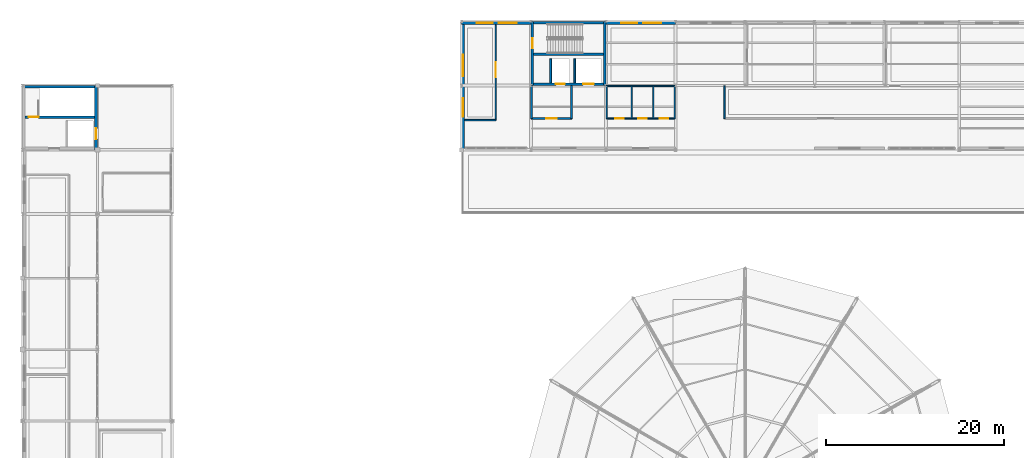
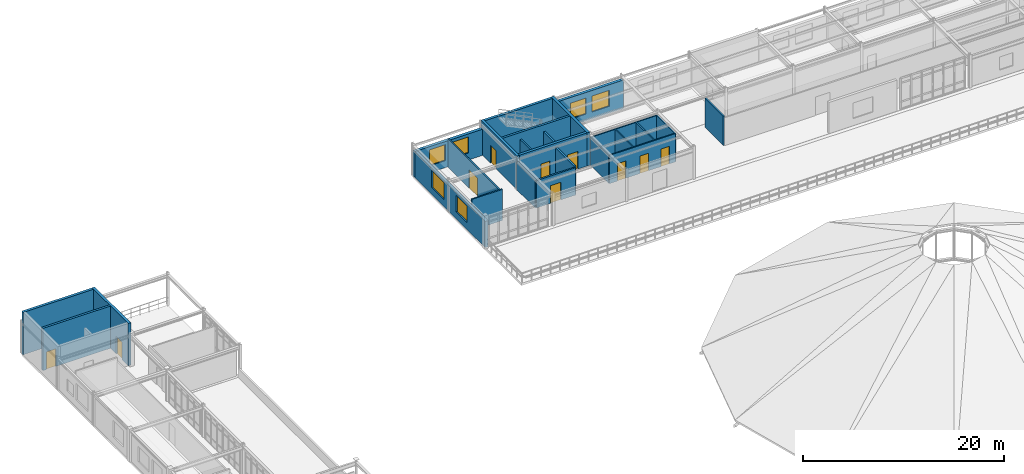
# One storey, part 52 of 58: 25 walls, 10 doors, 6 windows, 16 openings.
"""IFC4 building model written with IfcOpenShell, lengths in metres."""

from ifc_helpers import new_model, si_unit, derived_unit, direction, frame, frame_2d, origin, place, context, subcontext, project, spatial, rectangle, extrude, material, layer, layer_set, type_object, element, fill, save


model = new_model("IFC4")

# Units and contexts
model_context = context("Model", 3, precision=1e-05, world=origin(), true_north=direction((0.0, 1.0)))
body_context = subcontext(model_context, "Body", "Model", "MODEL_VIEW")
ifc_project = project(units=[si_unit("LENGTHUNIT", "METRE"), si_unit("AREAUNIT", "SQUARE_METRE"), si_unit("VOLUMEUNIT", "CUBIC_METRE"), si_unit("PLANEANGLEUNIT", "RADIAN"), si_unit("MASSUNIT", "GRAM", prefix="KILO"), derived_unit("THERMALTRANSMITTANCEUNIT", [(si_unit("POWERUNIT", "WATT"), 1), (si_unit("AREAUNIT", "SQUARE_METRE"), -1), (si_unit("THERMODYNAMICTEMPERATUREUNIT", "KELVIN"), -1)])], contexts=[model_context])

# Site, building, storey
site_placement = place(None, origin())
site = spatial("IfcSite", under=ifc_project, at=site_placement, CompositionType="ELEMENT")
building_placement = place(site_placement, origin())
building = spatial("IfcBuilding", under=site, at=building_placement, Name="Yasenodar Specialist Clinic", CompositionType="ELEMENT")
storey_placement = place(building_placement, frame((0.0, 0.0, 21.300048828125)))
storey = spatial("IfcBuildingStorey", under=building, at=storey_placement, Name="L05", CompositionType="ELEMENT", Elevation=21.300048828125)

# Wall, openings, windows
ifc_material_1 = material(Name="Buff Architectural Terracotta Rainscreen", Category="masonry")
ifc_layer_1 = layer(ifc_material_1, 0.340087890625)
ifc_layer_set_1 = layer_set([ifc_layer_1], Name="Buff Architectural Terracotta Rainscreen")
wall_type_1 = type_object("IfcWallType", Name="EW-TERR-340", PredefinedType="SOLIDWALL", material=ifc_layer_set_1)
wall_1_placement = place(storey_placement, frame((49.3701171875, 97.199951171875, 0.0), z_axis=(0.0, 0.0, 1.0), x_axis=(0.0, 1.0, 0.0)))
wall_1 = element("IfcWall", 1, at=wall_1_placement, inside=storey, type_object=wall_type_1, Name="L05 Exterior Facade Wall 0162", PredefinedType="SOLIDWALL", context=body_context, shape_type="SweptSolid", body=[
    extrude(rectangle(XDim=14.199951171875, YDim=0.340087890625, at=frame_2d((7.10009765625, 0.0))), origin(), (0.0, 0.0, 1.0), 3.177978515625),
])
opening_1_placement = place(wall_1_placement, frame((3.683349609375, 0.0, 0.85009765625)))
opening_1 = element("IfcOpeningElement", 2, at=opening_1_placement, cuts=wall_1, Name="Opening W-07", PredefinedType="OPENING", context=body_context, shape_type="SweptSolid", body=[
    extrude(rectangle(XDim=2.10009765625, YDim=2.0, at=frame_2d((1.050048828125, 1.0))), frame((0.0, 0.18017578125, 0.0), z_axis=(0.0, -1.0, 0.0), x_axis=(1.0, 0.0, 0.0)), (0.0, 0.0, 1.0), 0.360107421875),
])
opening_2_placement = place(wall_1_placement, frame((8.2666015625, 0.0, 0.85009765625)))
opening_2 = element("IfcOpeningElement", 3, at=opening_2_placement, cuts=wall_1, Name="Opening W-08", PredefinedType="OPENING", context=body_context, shape_type="SweptSolid", body=[
    extrude(rectangle(XDim=2.39990234375, YDim=2.050048828125, at=frame_2d((1.199951171875, 1.02490234375))), frame((0.0, 0.18017578125, 0.0), z_axis=(0.0, -1.0, 0.0), x_axis=(1.0, 0.0, 0.0)), (0.0, 0.0, 1.0), 0.360107421875),
])
ifc_material_2 = material(Name="Triple Low-E Argon Glazing in Bronze Aluminium Frame", Category="aluminium")
window_type_1 = type_object("IfcWindowType", Name="WIN-EXT-07", PartitioningType="SINGLE_PANEL", PredefinedType="WINDOW", material=ifc_material_2)
window_1_placement = place(opening_1_placement, origin())
window_1 = element("IfcWindow", 4, at=window_1_placement, inside=storey, type_object=window_type_1, Name="L05 Triple-Glazed Reveal Window 0178", OverallHeight=2.0, OverallWidth=2.10009765625, PartitioningType="SINGLE_PANEL", PredefinedType="WINDOW", context=body_context, shape_type="SweptSolid", body=[
    extrude(rectangle(XDim=2.10009765625, YDim=2.0, at=frame_2d((1.050048828125, 1.0))), frame((0.0, 0.030029296875, 0.0), z_axis=(0.0, -1.0, 0.0), x_axis=(1.0, 0.0, 0.0)), (0.0, 0.0, 1.0), 0.06005859375),
])
fill(opening_1, window_1)
window_type_2 = type_object("IfcWindowType", Name="WIN-EXT-08", PartitioningType="SINGLE_PANEL", PredefinedType="WINDOW", material=ifc_material_2)
window_2_placement = place(opening_2_placement, origin())
window_2 = element("IfcWindow", 5, at=window_2_placement, inside=storey, type_object=window_type_2, Name="L05 Triple-Glazed Reveal Window 0179", OverallHeight=2.050048828125, OverallWidth=2.39990234375, PartitioningType="SINGLE_PANEL", PredefinedType="WINDOW", context=body_context, shape_type="SweptSolid", body=[
    extrude(rectangle(XDim=2.39990234375, YDim=2.050048828125, at=frame_2d((1.199951171875, 1.02490234375))), frame((0.0, 0.030029296875, 0.0), z_axis=(0.0, -1.0, 0.0), x_axis=(1.0, 0.0, 0.0)), (0.0, 0.0, 1.0), 0.06005859375),
])
fill(opening_2, window_2)

wall_2_placement = place(storey_placement, frame((65.39990234375, 111.39990234375, 0.0), z_axis=(0.0, 0.0, 1.0), x_axis=(1.0, 0.0, 0.0)))
wall_2 = element("IfcWall", 6, at=wall_2_placement, inside=storey, type_object=wall_type_1, Name="L05 Exterior Facade Wall 0183", PredefinedType="SOLIDWALL", context=body_context, shape_type="SweptSolid", body=[
    extrude(rectangle(XDim=7.800048828125, YDim=0.340087890625, at=frame_2d((3.89990234375, 0.0))), origin(), (0.0, 0.0, 1.0), 3.47802734375),
])
opening_3_placement = place(wall_2_placement, frame((1.699951171875, 0.0, 0.85009765625)))
opening_3 = element("IfcOpeningElement", 7, at=opening_3_placement, cuts=wall_2, Name="Opening W-05", PredefinedType="OPENING", context=body_context, shape_type="SweptSolid", body=[
    extrude(rectangle(XDim=1.800048828125, YDim=1.949951171875, at=frame_2d((0.89990234375, 0.97509765625))), frame((0.0, 0.18017578125, 0.0), z_axis=(0.0, -1.0, 0.0), x_axis=(1.0, 0.0, 0.0)), (0.0, 0.0, 1.0), 0.360107421875),
])
opening_4_placement = place(wall_2_placement, frame((4.199951171875, 0.0, 0.85009765625)))
opening_4 = element("IfcOpeningElement", 8, at=opening_4_placement, cuts=wall_2, Name="Opening W-06", PredefinedType="OPENING", context=body_context, shape_type="SweptSolid", body=[
    extrude(rectangle(XDim=2.0, YDim=1.949951171875, at=frame_2d((1.0, 0.97509765625))), frame((0.0, 0.18017578125, 0.0), z_axis=(0.0, -1.0, 0.0), x_axis=(1.0, 0.0, 0.0)), (0.0, 0.0, 1.0), 0.360107421875),
])
window_type_3 = type_object("IfcWindowType", Name="WIN-EXT-05", PartitioningType="SINGLE_PANEL", PredefinedType="WINDOW", material=ifc_material_2)
window_3_placement = place(opening_3_placement, origin())
window_3 = element("IfcWindow", 9, at=window_3_placement, inside=storey, type_object=window_type_3, Name="L05 Triple-Glazed Reveal Window 0212", OverallHeight=1.949951171875, OverallWidth=1.800048828125, PartitioningType="SINGLE_PANEL", PredefinedType="WINDOW", context=body_context, shape_type="SweptSolid", body=[
    extrude(rectangle(XDim=1.800048828125, YDim=1.949951171875, at=frame_2d((0.89990234375, 0.97509765625))), frame((0.0, 0.030029296875, 0.0), z_axis=(0.0, -1.0, 0.0), x_axis=(1.0, 0.0, 0.0)), (0.0, 0.0, 1.0), 0.06005859375),
])
fill(opening_3, window_3)
window_type_4 = type_object("IfcWindowType", Name="WIN-EXT-06", PartitioningType="SINGLE_PANEL", PredefinedType="WINDOW", material=ifc_material_2)
window_4_placement = place(opening_4_placement, origin())
window_4 = element("IfcWindow", 10, at=window_4_placement, inside=storey, type_object=window_type_4, Name="L05 Triple-Glazed Reveal Window 0213", OverallHeight=1.949951171875, OverallWidth=2.0, PartitioningType="SINGLE_PANEL", PredefinedType="WINDOW", context=body_context, shape_type="SweptSolid", body=[
    extrude(rectangle(XDim=2.0, YDim=1.949951171875, at=frame_2d((1.0, 0.97509765625))), frame((0.0, 0.030029296875, 0.0), z_axis=(0.0, -1.0, 0.0), x_axis=(1.0, 0.0, 0.0)), (0.0, 0.0, 1.0), 0.06005859375),
])
fill(opening_4, window_4)

wall_3_placement = place(storey_placement, frame((49.199951171875, 111.39990234375, 0.0), z_axis=(0.0, 0.0, 1.0), x_axis=(1.0, 0.0, 0.0)))
wall_3 = element("IfcWall", 11, at=wall_3_placement, inside=storey, type_object=wall_type_1, Name="L05 Exterior Facade Wall 0188", PredefinedType="SOLIDWALL", context=body_context, shape_type="SweptSolid", body=[
    extrude(rectangle(XDim=7.800048828125, YDim=0.340087890625, at=frame_2d((3.89990234375, 0.0))), origin(), (0.0, 0.0, 1.0), 3.177978515625),
])
opening_5_placement = place(wall_3_placement, frame((1.699951171875, 0.0, 0.85009765625)))
opening_5 = element("IfcOpeningElement", 12, at=opening_5_placement, cuts=wall_3, Name="Opening W-05", PredefinedType="OPENING", context=body_context, shape_type="SweptSolid", body=[
    extrude(rectangle(XDim=1.800048828125, YDim=1.949951171875, at=frame_2d((0.89990234375, 0.97509765625))), frame((0.0, 0.18017578125, 0.0), z_axis=(0.0, -1.0, 0.0), x_axis=(1.0, 0.0, 0.0)), (0.0, 0.0, 1.0), 0.360107421875),
])
opening_6_placement = place(wall_3_placement, frame((4.199951171875, 0.0, 0.85009765625)))
opening_6 = element("IfcOpeningElement", 13, at=opening_6_placement, cuts=wall_3, Name="Opening W-06", PredefinedType="OPENING", context=body_context, shape_type="SweptSolid", body=[
    extrude(rectangle(XDim=2.0, YDim=1.949951171875, at=frame_2d((1.0, 0.97509765625))), frame((0.0, 0.18017578125, 0.0), z_axis=(0.0, -1.0, 0.0), x_axis=(1.0, 0.0, 0.0)), (0.0, 0.0, 1.0), 0.360107421875),
])
window_5_placement = place(opening_5_placement, origin())
window_5 = element("IfcWindow", 14, at=window_5_placement, inside=storey, type_object=window_type_3, Name="L05 Triple-Glazed Reveal Window 0222", OverallHeight=1.949951171875, OverallWidth=1.800048828125, PartitioningType="SINGLE_PANEL", PredefinedType="WINDOW", context=body_context, shape_type="SweptSolid", body=[
    extrude(rectangle(XDim=1.800048828125, YDim=1.949951171875, at=frame_2d((0.89990234375, 0.97509765625))), frame((0.0, 0.030029296875, 0.0), z_axis=(0.0, -1.0, 0.0), x_axis=(1.0, 0.0, 0.0)), (0.0, 0.0, 1.0), 0.06005859375),
])
fill(opening_5, window_5)
window_6_placement = place(opening_6_placement, origin())
window_6 = element("IfcWindow", 15, at=window_6_placement, inside=storey, type_object=window_type_4, Name="L05 Triple-Glazed Reveal Window 0223", OverallHeight=1.949951171875, OverallWidth=2.0, PartitioningType="SINGLE_PANEL", PredefinedType="WINDOW", context=body_context, shape_type="SweptSolid", body=[
    extrude(rectangle(XDim=2.0, YDim=1.949951171875, at=frame_2d((1.0, 0.97509765625))), frame((0.0, 0.030029296875, 0.0), z_axis=(0.0, -1.0, 0.0), x_axis=(1.0, 0.0, 0.0)), (0.0, 0.0, 1.0), 0.06005859375),
])
fill(opening_6, window_6)

# Wall
ifc_material_3 = material(Name="Acoustic Double-Gypsum Consulting Partition")
ifc_layer_2 = layer(ifc_material_3, 0.159912109375)
ifc_layer_set_2 = layer_set([ifc_layer_2], Name="Acoustic Double-Gypsum Consulting Partition")
wall_type_2 = type_object("IfcWallType", Name="IW-CONS-160", PredefinedType="PARTITIONING", material=ifc_layer_set_2)
wall_4_placement = place(storey_placement, frame((78.699951171875, 100.699951171875, 0.0), z_axis=(0.0, 0.0, 1.0), x_axis=(0.0, 1.0, 0.0)))
element("IfcWall", 16, at=wall_4_placement, inside=storey, type_object=wall_type_2, Name="L05 Wing V5 L05 Cross-Lobby East Partition", PredefinedType="PARTITIONING", context=body_context, shape_type="SweptSolid", body=[
    extrude(rectangle(XDim=3.650146484375, YDim=0.159912109375, at=frame_2d((1.8251953125, 0.0))), origin(), (0.0, 0.0, 1.0), 3.56787109375),
])

# Wall, opening, door
wall_5_placement = place(storey_placement, frame((53.050048828125, 100.52001953125, 0.0), z_axis=(0.0, 0.0, 1.0), x_axis=(0.0, 1.0, 0.0)))
wall_5 = element("IfcWall", 17, at=wall_5_placement, inside=storey, type_object=wall_type_2, Name="L05 Clinical Teaching Lecture Room Partition", PredefinedType="PARTITIONING", context=body_context, shape_type="SweptSolid", body=[
    extrude(rectangle(XDim=10.679931640625, YDim=0.159912109375, at=frame_2d((5.33984375, 0.0))), origin(), (0.0, 0.0, 1.0), 3.447998046875),
])
opening_7_placement = place(wall_5_placement, frame((4.7900390625, 0.0, 0.0)))
opening_7 = element("IfcOpeningElement", 18, at=opening_7_placement, cuts=wall_5, Name="Opening D-10", PredefinedType="OPENING", context=body_context, shape_type="SweptSolid", body=[
    extrude(rectangle(XDim=1.679931640625, YDim=2.260009765625, at=frame_2d((0.83984375, 1.1298828125))), frame((0.0, 0.08984375, 0.0), z_axis=(0.0, -1.0, 0.0), x_axis=(1.0, 0.0, 0.0)), (0.0, 0.0, 1.0), 0.179931640625),
])
ifc_material_4 = material(Name="Powder-Coated Steel and Acoustic Laminate Leaf", Category="steel")
door_type_1 = type_object("IfcDoorType", Name="DR-BED-168", OperationType="DOUBLE_DOOR_SINGLE_SWING", PredefinedType="DOOR", material=ifc_material_4)
door_1_placement = place(opening_7_placement, origin())
door_1 = element("IfcDoor", 19, at=door_1_placement, inside=storey, type_object=door_type_1, Name="L05 Clinical Teaching Lecture Room Door", OperationType="DOUBLE_DOOR_SINGLE_SWING", OverallHeight=2.260009765625, OverallWidth=1.679931640625, PredefinedType="DOOR", context=body_context, shape_type="SweptSolid", body=[
    extrude(rectangle(XDim=1.679931640625, YDim=2.260009765625, at=frame_2d((0.83984375, 1.1298828125))), frame((0.0, 0.02490234375, 0.0), z_axis=(0.0, -1.0, 0.0), x_axis=(1.0, 0.0, 0.0)), (0.0, 0.0, 1.0), 0.050048828125),
])
fill(opening_7, door_1)

# Wall
wall_6_placement = place(storey_placement, frame((49.550048828125, 100.52001953125, 0.0), z_axis=(0.0, 0.0, 1.0), x_axis=(1.0, 0.0, 0.0)))
element("IfcWall", 20, at=wall_6_placement, inside=storey, type_object=wall_type_2, Name="L05 Clinical Teaching Lecture Room Partition", PredefinedType="PARTITIONING", context=body_context, shape_type="SweptSolid", body=[
    extrude(rectangle(XDim=3.5, YDim=0.159912109375, at=frame_2d((1.75, 0.0))), origin(), (0.0, 0.0, 1.0), 3.780029296875),
])

# Wall, opening, door
ifc_material_5 = material(Name="Fire-Rated Gypsum and Mineral-Wool Wall")
ifc_layer_3 = layer(ifc_material_5, 0.195068359375)
ifc_layer_set_3 = layer_set([ifc_layer_3], Name="Fire-Rated Gypsum and Mineral-Wool Wall")
wall_type_3 = type_object("IfcWallType", Name="IW-LOBBY-195", PredefinedType="PARTITIONING", material=ifc_layer_set_3)
wall_7_placement = place(storey_placement, frame((57.050048828125, 100.699951171875, 0.0), z_axis=(0.0, 0.0, 1.0), x_axis=(1.0, 0.0, 0.0)))
wall_7 = element("IfcWall", 21, at=wall_7_placement, inside=storey, type_object=wall_type_3, Name="L05 C4 Firefighting Lobby South Wall", PredefinedType="PARTITIONING", context=body_context, shape_type="SweptSolid", body=[
    extrude(rectangle(XDim=4.5, YDim=0.195068359375, at=frame_2d((2.25, 0.0))), origin(), (0.0, 0.0, 1.0), 3.327880859375),
])
opening_8_placement = place(wall_7_placement, frame((1.64990234375, 0.0, 0.0)))
opening_8 = element("IfcOpeningElement", 22, at=opening_8_placement, cuts=wall_7, Name="Opening FD-02", PredefinedType="OPENING", context=body_context, shape_type="SweptSolid", body=[
    extrude(rectangle(XDim=1.199951171875, YDim=2.14990234375, at=frame_2d((0.60009765625, 1.074951171875))), frame((0.0, 0.107421875, 0.0), z_axis=(0.0, -1.0, 0.0), x_axis=(1.0, 0.0, 0.0)), (0.0, 0.0, 1.0), 0.215087890625),
])
ifc_material_6 = material(Name="Fire-Rated Insulated Steel Door", Category="steel")
door_type_2 = type_object("IfcDoorType", Name="DR-FD-120", OperationType="NOTDEFINED", PredefinedType="DOOR", material=ifc_material_6)
door_2_placement = place(opening_8_placement, origin())
door_2 = element("IfcDoor", 23, at=door_2_placement, inside=storey, type_object=door_type_2, Name="L05 C4 Firefighting Lobby Door", OperationType="SINGLE_SWING_RIGHT", OverallHeight=2.14990234375, OverallWidth=1.199951171875, PredefinedType="DOOR", context=body_context, shape_type="SweptSolid", body=[
    extrude(rectangle(XDim=1.199951171875, YDim=2.14990234375, at=frame_2d((0.60009765625, 1.074951171875))), frame((0.0, 0.02490234375, 0.0), z_axis=(0.0, -1.0, 0.0), x_axis=(1.0, 0.0, 0.0)), (0.0, 0.0, 1.0), 0.050048828125),
])
fill(opening_8, door_2)

# Walls
wall_8_placement = place(storey_placement, frame((61.550048828125, 100.699951171875, 0.0), z_axis=(0.0, 0.0, 1.0), x_axis=(0.0, 1.0, 0.0)))
element("IfcWall", 24, at=wall_8_placement, inside=storey, type_object=wall_type_3, Name="L05 C4 Firefighting Lobby East Wall", PredefinedType="PARTITIONING", context=body_context, shape_type="SweptSolid", body=[
    extrude(rectangle(XDim=3.699951171875, YDim=0.195068359375, at=frame_2d((1.85009765625, 0.0))), origin(), (0.0, 0.0, 1.0), 3.508056640625),
])
wall_9_placement = place(storey_placement, frame((57.050048828125, 100.699951171875, 0.0), z_axis=(0.0, 0.0, 1.0), x_axis=(0.0, 1.0, 0.0)))
element("IfcWall", 25, at=wall_9_placement, inside=storey, type_object=wall_type_3, Name="L05 C4 Firefighting Lobby West Wall", PredefinedType="PARTITIONING", context=body_context, shape_type="SweptSolid", body=[
    extrude(rectangle(XDim=3.699951171875, YDim=0.195068359375, at=frame_2d((1.85009765625, 0.0))), origin(), (0.0, 0.0, 1.0), 3.327880859375),
])
ifc_material_7 = material(Name="Aerated Concrete Blockwork Fire Shaft Wall", Category="masonry")
ifc_layer_4 = layer(ifc_material_7, 0.205078125)
ifc_layer_set_4 = layer_set([ifc_layer_4], Name="Aerated Concrete Blockwork Fire Shaft Wall")
wall_type_4 = type_object("IfcWallType", Name="IW-SHAFT-205", PredefinedType="PARTITIONING", material=ifc_layer_set_4)
for number, where, z_axis, x_axis, name in (
    (26, (59.199951171875, 104.699951171875, 0.0), (0.0, 0.0, 1.0), (0.0, 1.0, 0.0), "L05 LF-02 Lift Shaft Side Wall"),
    (27, (61.89990234375, 104.699951171875, 0.0), (0.0, 0.0, 1.0), (0.0, 1.0, 0.0), "L05 LF-04 Lift Shaft Side Wall"),
):
    element("IfcWall", number, at=place(storey_placement, frame(where, z_axis=z_axis, x_axis=x_axis)), inside=storey, type_object=wall_type_4, Name=name, PredefinedType="PARTITIONING", context=body_context, shape_type="SweptSolid", body=[
        extrude(rectangle(XDim=2.699951171875, YDim=0.205078125, at=frame_2d((1.35009765625, 0.0))), origin(), (0.0, 0.0, 1.0), 3.508056640625),
    ])
ifc_material_8 = material(Name="Moisture-Resistant Sanitary Partition")
ifc_layer_5 = layer(ifc_material_8, 0.139892578125)
ifc_layer_set_5 = layer_set([ifc_layer_5], Name="Moisture-Resistant Sanitary Partition")
wall_type_5 = type_object("IfcWallType", Name="IW-WET-140", PredefinedType="PARTITIONING", material=ifc_layer_set_5)
wall_10_placement = place(storey_placement, frame((65.5, 100.699951171875, 0.0), z_axis=(0.0, 0.0, 1.0), x_axis=(0.0, 1.0, 0.0)))
element("IfcWall", 28, at=wall_10_placement, inside=storey, type_object=wall_type_5, Name="L05 North Sanitary Block West Wall", PredefinedType="PARTITIONING", context=body_context, shape_type="SweptSolid", body=[
    extrude(rectangle(XDim=3.679931640625, YDim=0.139892578125, at=frame_2d((1.83984375, 0.0))), origin(), (0.0, 0.0, 1.0), 3.43798828125),
])
wall_11_placement = place(storey_placement, frame((65.39990234375, 104.35009765625, 0.0), z_axis=(0.0, 0.0, 1.0), x_axis=(1.0, 0.0, 0.0)))
element("IfcWall", 29, at=wall_11_placement, inside=storey, type_object=wall_type_5, Name="L05 North Sanitary Block North Wall", PredefinedType="PARTITIONING", context=body_context, shape_type="SweptSolid", body=[
    extrude(rectangle(XDim=7.7001953125, YDim=0.139892578125, at=frame_2d((3.85009765625, 0.0))), origin(), (0.0, 0.0, 1.0), 3.43798828125),
])
for number, where, z_axis, x_axis, name in (
    (30, (73.10009765625, 100.699951171875, 0.0), (0.0, 0.0, 1.0), (0.0, 1.0, 0.0), "L05 North Sanitary Block East Wall"),
    (31, (68.300048828125, 100.699951171875, 0.0), (0.0, 0.0, 1.0), (0.0, 1.0, 0.0), "L05 North Accessible WC Divider Wall"),
    (32, (70.699951171875, 100.699951171875, 0.0), (0.0, 0.0, 1.0), (0.0, 1.0, 0.0), "L05 North Patient and Staff WC Divider Wall"),
):
    element("IfcWall", number, at=place(storey_placement, frame(where, z_axis=z_axis, x_axis=x_axis)), inside=storey, type_object=wall_type_5, Name=name, PredefinedType="PARTITIONING", context=body_context, shape_type="SweptSolid", body=[
        extrude(rectangle(XDim=3.650146484375, YDim=0.139892578125, at=frame_2d((1.8251953125, 0.0))), origin(), (0.0, 0.0, 1.0), 3.447998046875),
    ])

# Wall, openings, doors
wall_12_placement = place(storey_placement, frame((65.5, 100.699951171875, 0.0), z_axis=(0.0, 0.0, 1.0), x_axis=(1.0, 0.0, 0.0)))
wall_12 = element("IfcWall", 33, at=wall_12_placement, inside=storey, type_object=wall_type_5, Name="L05 North Sanitary Block Corridor Wall", PredefinedType="PARTITIONING", context=body_context, shape_type="SweptSolid", body=[
    extrude(rectangle(XDim=7.60009765625, YDim=0.139892578125, at=frame_2d((3.800048828125, 0.0))), origin(), (0.0, 0.0, 1.0), 3.43798828125),
])
opening_9_placement = place(wall_12_placement, frame((0.919921875, 0.0, 0.0)))
opening_9 = element("IfcOpeningElement", 34, at=opening_9_placement, cuts=wall_12, Name="Opening D-01", PredefinedType="OPENING", context=body_context, shape_type="SweptSolid", body=[
    extrude(rectangle(XDim=0.949951171875, YDim=2.1201171875, at=frame_2d((0.47509765625, 1.06005859375))), frame((0.0, 0.080078125, 0.0), z_axis=(0.0, -1.0, 0.0), x_axis=(1.0, 0.0, 0.0)), (0.0, 0.0, 1.0), 0.159912109375),
])
opening_10_placement = place(wall_12_placement, frame((3.510009765625, 0.0, 0.0)))
opening_10 = element("IfcOpeningElement", 35, at=opening_10_placement, cuts=wall_12, Name="Opening D-02", PredefinedType="OPENING", context=body_context, shape_type="SweptSolid", body=[
    extrude(rectangle(XDim=0.97998046875, YDim=2.139892578125, at=frame_2d((0.489990234375, 1.06982421875))), frame((0.0, 0.080078125, 0.0), z_axis=(0.0, -1.0, 0.0), x_axis=(1.0, 0.0, 0.0)), (0.0, 0.0, 1.0), 0.159912109375),
])
opening_11_placement = place(wall_12_placement, frame((5.909912109375, 0.0, 0.0)))
opening_11 = element("IfcOpeningElement", 36, at=opening_11_placement, cuts=wall_12, Name="Opening D-02", PredefinedType="OPENING", context=body_context, shape_type="SweptSolid", body=[
    extrude(rectangle(XDim=0.97998046875, YDim=2.139892578125, at=frame_2d((0.489990234375, 1.06982421875))), frame((0.0, 0.080078125, 0.0), z_axis=(0.0, -1.0, 0.0), x_axis=(1.0, 0.0, 0.0)), (0.0, 0.0, 1.0), 0.159912109375),
])
door_type_3 = type_object("IfcDoorType", Name="DR-CLN-095", OperationType="NOTDEFINED", PredefinedType="DOOR", material=ifc_material_4)
door_3_placement = place(opening_9_placement, origin())
door_3 = element("IfcDoor", 37, at=door_3_placement, inside=storey, type_object=door_type_3, Name="L05 North Accessible WC Door", OperationType="SINGLE_SWING_LEFT", OverallHeight=2.1201171875, OverallWidth=0.949951171875, PredefinedType="DOOR", context=body_context, shape_type="SweptSolid", body=[
    extrude(rectangle(XDim=0.949951171875, YDim=2.1201171875, at=frame_2d((0.47509765625, 1.06005859375))), frame((0.0, 0.02490234375, 0.0), z_axis=(0.0, -1.0, 0.0), x_axis=(1.0, 0.0, 0.0)), (0.0, 0.0, 1.0), 0.050048828125),
])
fill(opening_9, door_3)
door_type_4 = type_object("IfcDoorType", Name="DR-CLN-098", OperationType="NOTDEFINED", PredefinedType="DOOR", material=ifc_material_4)
door_4_placement = place(opening_10_placement, origin())
door_4 = element("IfcDoor", 38, at=door_4_placement, inside=storey, type_object=door_type_4, Name="L05 North Patient Washroom WC Door", OperationType="SINGLE_SWING_RIGHT", OverallHeight=2.139892578125, OverallWidth=0.97998046875, PredefinedType="DOOR", context=body_context, shape_type="SweptSolid", body=[
    extrude(rectangle(XDim=0.97998046875, YDim=2.139892578125, at=frame_2d((0.489990234375, 1.06982421875))), frame((0.0, 0.02490234375, 0.0), z_axis=(0.0, -1.0, 0.0), x_axis=(1.0, 0.0, 0.0)), (0.0, 0.0, 1.0), 0.050048828125),
])
fill(opening_10, door_4)
door_5_placement = place(opening_11_placement, origin())
door_5 = element("IfcDoor", 39, at=door_5_placement, inside=storey, type_object=door_type_4, Name="L05 North Staff Washroom WC Door", OperationType="SINGLE_SWING_LEFT", OverallHeight=2.139892578125, OverallWidth=0.97998046875, PredefinedType="DOOR", context=body_context, shape_type="SweptSolid", body=[
    extrude(rectangle(XDim=0.97998046875, YDim=2.139892578125, at=frame_2d((0.489990234375, 1.06982421875))), frame((0.0, 0.02490234375, 0.0), z_axis=(0.0, -1.0, 0.0), x_axis=(1.0, 0.0, 0.0)), (0.0, 0.0, 1.0), 0.050048828125),
])
fill(opening_11, door_5)

# Wall, opening, door
ifc_material_9 = material(Name="Concrete C35/45", Category="concrete")
ifc_layer_6 = layer(ifc_material_9, 0.25)
ifc_layer_set_6 = layer_set([ifc_layer_6], Name="Concrete C35/45")
wall_type_6 = type_object("IfcWallType", Name="WL-CORE-250", PredefinedType="SHEAR", material=ifc_layer_set_6)
wall_13_placement = place(storey_placement, frame((0.300048828125, 100.85009765625, 0.0), z_axis=(0.0, 0.0, 1.0), x_axis=(1.0, 0.0, 0.0)))
wall_13 = element("IfcWall", 40, at=wall_13_placement, inside=storey, type_object=wall_type_6, Name="L05 Core C2 Central Spine Wall", PredefinedType="SHEAR", context=body_context, shape_type="SweptSolid", body=[
    extrude(rectangle(XDim=7.800048828125, YDim=0.25, at=frame_2d((3.89990234375, 0.0))), origin(), (0.0, 0.0, 1.0), 5.14990234375),
])
opening_12_placement = place(wall_13_placement, frame((0.39990234375, 0.0, 0.0)))
opening_12 = element("IfcOpeningElement", 41, at=opening_12_placement, cuts=wall_13, Name="Opening FD-01", PredefinedType="OPENING", context=body_context, shape_type="SweptSolid", body=[
    extrude(rectangle(XDim=1.10009765625, YDim=2.14990234375, at=frame_2d((0.550048828125, 1.074951171875))), frame((0.0, 0.135009765625, 0.0), z_axis=(0.0, -1.0, 0.0), x_axis=(1.0, 0.0, 0.0)), (0.0, 0.0, 1.0), 0.27001953125),
])
door_type_5 = type_object("IfcDoorType", Name="DR-FD-110", OperationType="NOTDEFINED", PredefinedType="DOOR", material=ifc_material_6)
door_6_placement = place(opening_12_placement, origin())
door_6 = element("IfcDoor", 42, at=door_6_placement, inside=storey, type_object=door_type_5, Name="L05 ST-02 Protected Stair Door", OperationType="SINGLE_SWING_LEFT", OverallHeight=2.14990234375, OverallWidth=1.10009765625, PredefinedType="DOOR", context=body_context, shape_type="SweptSolid", body=[
    extrude(rectangle(XDim=1.10009765625, YDim=2.14990234375, at=frame_2d((0.550048828125, 1.074951171875))), frame((0.0, 0.02490234375, 0.0), z_axis=(0.0, -1.0, 0.0), x_axis=(1.0, 0.0, 0.0)), (0.0, 0.0, 1.0), 0.050048828125),
])
fill(opening_12, door_6)

# Walls
wall_14_placement = place(storey_placement, frame((57.300048828125, 107.89990234375, 0.0), z_axis=(0.0, 0.0, 1.0), x_axis=(1.0, 0.0, 0.0)))
element("IfcWall", 43, at=wall_14_placement, inside=storey, type_object=wall_type_6, Name="L05 Core C4 Central Spine Wall", PredefinedType="SHEAR", context=body_context, shape_type="SweptSolid", body=[
    extrude(rectangle(XDim=7.800048828125, YDim=0.25, at=frame_2d((3.89990234375, 0.0))), origin(), (0.0, 0.0, 1.0), 4.050048828125),
])
ifc_layer_7 = layer(ifc_material_9, 0.300048828125)
ifc_layer_set_7 = layer_set([ifc_layer_7], Name="Concrete C35/45")
wall_type_7 = type_object("IfcWallType", Name="WL-CORE-300", PredefinedType="SHEAR", material=ifc_layer_set_7)
wall_15_placement = place(storey_placement, frame((0.0, 104.25, 0.0), z_axis=(0.0, 0.0, 1.0), x_axis=(1.0, 0.0, 0.0)))
element("IfcWall", 44, at=wall_15_placement, inside=storey, type_object=wall_type_7, Name="L05 Core C2 North Shear Wall", PredefinedType="SHEAR", context=body_context, shape_type="SweptSolid", body=[
    extrude(rectangle(XDim=8.39990234375, YDim=0.300048828125, at=frame_2d((4.199951171875, 0.0))), origin(), (0.0, 0.0, 1.0), 5.14990234375),
])

# Wall, opening, door
wall_16_placement = place(storey_placement, frame((8.25, 97.199951171875, 0.0), z_axis=(0.0, 0.0, 1.0), x_axis=(0.0, 1.0, 0.0)))
wall_16 = element("IfcWall", 45, at=wall_16_placement, inside=storey, type_object=wall_type_7, Name="L05 Core C2 East Shear Wall", PredefinedType="SHEAR", context=body_context, shape_type="SweptSolid", body=[
    extrude(rectangle(XDim=7.199951171875, YDim=0.300048828125, at=frame_2d((3.60009765625, 0.0))), origin(), (0.0, 0.0, 1.0), 5.14990234375),
])
opening_13_placement = place(wall_16_placement, frame((1.199951171875, 0.0, 0.0)))
opening_13 = element("IfcOpeningElement", 46, at=opening_13_placement, cuts=wall_16, Name="Opening LD-02", PredefinedType="OPENING", context=body_context, shape_type="SweptSolid", body=[
    extrude(rectangle(XDim=1.199951171875, YDim=2.14990234375, at=frame_2d((0.60009765625, 1.074951171875))), frame((0.0, 0.16015625, 0.0), z_axis=(0.0, -1.0, 0.0), x_axis=(1.0, 0.0, 0.0)), (0.0, 0.0, 1.0), 0.320068359375),
])
door_type_6 = type_object("IfcDoorType", Name="DR-LD-120", OperationType="DOUBLE_DOOR_SLIDING", PredefinedType="DOOR", material=ifc_material_6)
door_7_placement = place(opening_13_placement, origin())
door_7 = element("IfcDoor", 47, at=door_7_placement, inside=storey, type_object=door_type_6, Name="L05 LF-03 Lift Landing Door", OperationType="DOUBLE_DOOR_SLIDING", OverallHeight=2.14990234375, OverallWidth=1.199951171875, PredefinedType="DOOR", context=body_context, shape_type="SweptSolid", body=[
    extrude(rectangle(XDim=1.199951171875, YDim=2.14990234375, at=frame_2d((0.60009765625, 1.074951171875))), frame((0.0, 0.02490234375, 0.0), z_axis=(0.0, -1.0, 0.0), x_axis=(1.0, 0.0, 0.0)), (0.0, 0.0, 1.0), 0.050048828125),
])
fill(opening_13, door_7)

# Wall
wall_17_placement = place(storey_placement, frame((57.0, 111.449951171875, 0.0), z_axis=(0.0, 0.0, 1.0), x_axis=(1.0, 0.0, 0.0)))
element("IfcWall", 48, at=wall_17_placement, inside=storey, type_object=wall_type_7, Name="L05 Core C4 North Shear Wall", PredefinedType="SHEAR", context=body_context, shape_type="SweptSolid", body=[
    extrude(rectangle(XDim=8.39990234375, YDim=0.300048828125, at=frame_2d((4.199951171875, 0.0))), origin(), (0.0, 0.0, 1.0), 4.050048828125),
])

# Wall, openings, doors
wall_18_placement = place(storey_placement, frame((57.0, 104.550048828125, 0.0), z_axis=(0.0, 0.0, 1.0), x_axis=(1.0, 0.0, 0.0)))
wall_18 = element("IfcWall", 49, at=wall_18_placement, inside=storey, type_object=wall_type_7, Name="L05 Core C4 South Shear Wall", PredefinedType="SHEAR", context=body_context, shape_type="SweptSolid", body=[
    extrude(rectangle(XDim=8.39990234375, YDim=0.300048828125, at=frame_2d((4.199951171875, 0.0))), origin(), (0.0, 0.0, 1.0), 4.050048828125),
])
opening_14_placement = place(wall_18_placement, frame((2.800048828125, 0.0, 0.0)))
opening_14 = element("IfcOpeningElement", 50, at=opening_14_placement, cuts=wall_18, Name="Opening LD-01", PredefinedType="OPENING", context=body_context, shape_type="SweptSolid", body=[
    extrude(rectangle(XDim=1.0, YDim=2.10009765625, at=frame_2d((0.5, 1.050048828125))), frame((0.0, 0.16015625, 0.0), z_axis=(0.0, -1.0, 0.0), x_axis=(1.0, 0.0, 0.0)), (0.0, 0.0, 1.0), 0.320068359375),
])
opening_15_placement = place(wall_18_placement, frame((5.85009765625, 0.0, 0.0)))
opening_15 = element("IfcOpeningElement", 51, at=opening_15_placement, cuts=wall_18, Name="Opening LD-02", PredefinedType="OPENING", context=body_context, shape_type="SweptSolid", body=[
    extrude(rectangle(XDim=1.199951171875, YDim=2.14990234375, at=frame_2d((0.60009765625, 1.074951171875))), frame((0.0, 0.16015625, 0.0), z_axis=(0.0, -1.0, 0.0), x_axis=(1.0, 0.0, 0.0)), (0.0, 0.0, 1.0), 0.320068359375),
])
door_type_7 = type_object("IfcDoorType", Name="DR-LD-100", OperationType="DOUBLE_DOOR_SLIDING", PredefinedType="DOOR", material=ifc_material_6)
door_8_placement = place(opening_14_placement, origin())
door_8 = element("IfcDoor", 52, at=door_8_placement, inside=storey, type_object=door_type_7, Name="L05 LF-02 Lift Landing Door", OperationType="DOUBLE_DOOR_SLIDING", OverallHeight=2.10009765625, OverallWidth=1.0, PredefinedType="DOOR", context=body_context, shape_type="SweptSolid", body=[
    extrude(rectangle(XDim=1.0, YDim=2.10009765625, at=frame_2d((0.5, 1.050048828125))), frame((0.0, 0.02490234375, 0.0), z_axis=(0.0, -1.0, 0.0), x_axis=(1.0, 0.0, 0.0)), (0.0, 0.0, 1.0), 0.050048828125),
])
fill(opening_14, door_8)
door_9_placement = place(opening_15_placement, origin())
door_9 = element("IfcDoor", 53, at=door_9_placement, inside=storey, type_object=door_type_6, Name="L05 LF-04 Lift Landing Door", OperationType="DOUBLE_DOOR_SLIDING", OverallHeight=2.14990234375, OverallWidth=1.199951171875, PredefinedType="DOOR", context=body_context, shape_type="SweptSolid", body=[
    extrude(rectangle(XDim=1.199951171875, YDim=2.14990234375, at=frame_2d((0.60009765625, 1.074951171875))), frame((0.0, 0.02490234375, 0.0), z_axis=(0.0, -1.0, 0.0), x_axis=(1.0, 0.0, 0.0)), (0.0, 0.0, 1.0), 0.050048828125),
])
fill(opening_15, door_9)

# Wall, opening, door
wall_19_placement = place(storey_placement, frame((57.14990234375, 104.39990234375, 0.0), z_axis=(0.0, 0.0, 1.0), x_axis=(0.0, 1.0, 0.0)))
wall_19 = element("IfcWall", 54, at=wall_19_placement, inside=storey, type_object=wall_type_7, Name="L05 Core C4 West Shear Wall", PredefinedType="SHEAR", context=body_context, shape_type="SweptSolid", body=[
    extrude(rectangle(XDim=7.2001953125, YDim=0.300048828125, at=frame_2d((3.60009765625, 0.0))), origin(), (0.0, 0.0, 1.0), 4.050048828125),
])
opening_16_placement = place(wall_19_placement, frame((4.199951171875, 0.0, 0.0)))
opening_16 = element("IfcOpeningElement", 55, at=opening_16_placement, cuts=wall_19, Name="Opening FD-01", PredefinedType="OPENING", context=body_context, shape_type="SweptSolid", body=[
    extrude(rectangle(XDim=1.10009765625, YDim=2.14990234375, at=frame_2d((0.550048828125, 1.074951171875))), frame((0.0, 0.16015625, 0.0), z_axis=(0.0, -1.0, 0.0), x_axis=(1.0, 0.0, 0.0)), (0.0, 0.0, 1.0), 0.320068359375),
])
door_10_placement = place(opening_16_placement, origin())
door_10 = element("IfcDoor", 56, at=door_10_placement, inside=storey, type_object=door_type_5, Name="L05 ST-04 Protected Stair Door", OperationType="SINGLE_SWING_RIGHT", OverallHeight=2.14990234375, OverallWidth=1.10009765625, PredefinedType="DOOR", context=body_context, shape_type="SweptSolid", body=[
    extrude(rectangle(XDim=1.10009765625, YDim=2.14990234375, at=frame_2d((0.550048828125, 1.074951171875))), frame((0.0, 0.02490234375, 0.0), z_axis=(0.0, -1.0, 0.0), x_axis=(1.0, 0.0, 0.0)), (0.0, 0.0, 1.0), 0.050048828125),
])
fill(opening_16, door_10)

# Wall
wall_20_placement = place(storey_placement, frame((65.25, 104.39990234375, 0.0), z_axis=(0.0, 0.0, 1.0), x_axis=(0.0, 1.0, 0.0)))
element("IfcWall", 57, at=wall_20_placement, inside=storey, type_object=wall_type_7, Name="L05 Core C4 East Shear Wall", PredefinedType="SHEAR", context=body_context, shape_type="SweptSolid", body=[
    extrude(rectangle(XDim=7.2001953125, YDim=0.300048828125, at=frame_2d((3.60009765625, 0.0))), origin(), (0.0, 0.0, 1.0), 4.050048828125),
])

save(model, "model.ifc")
